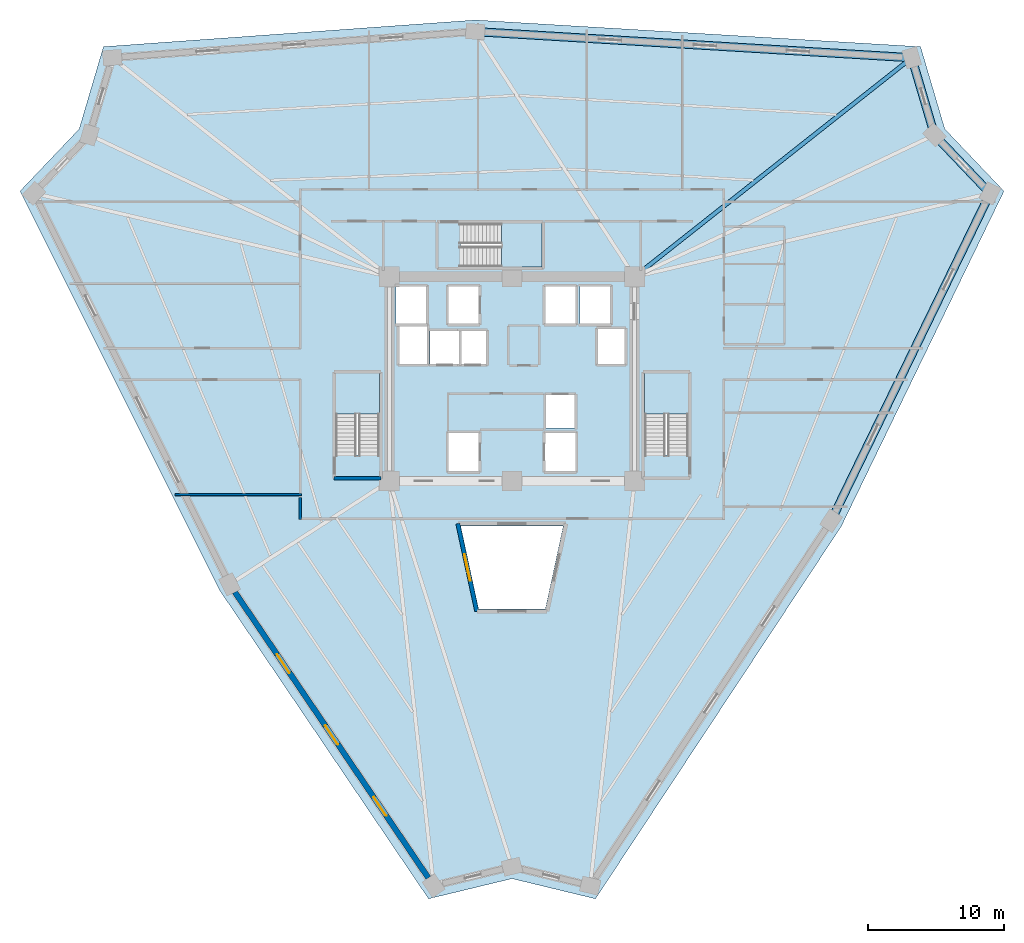
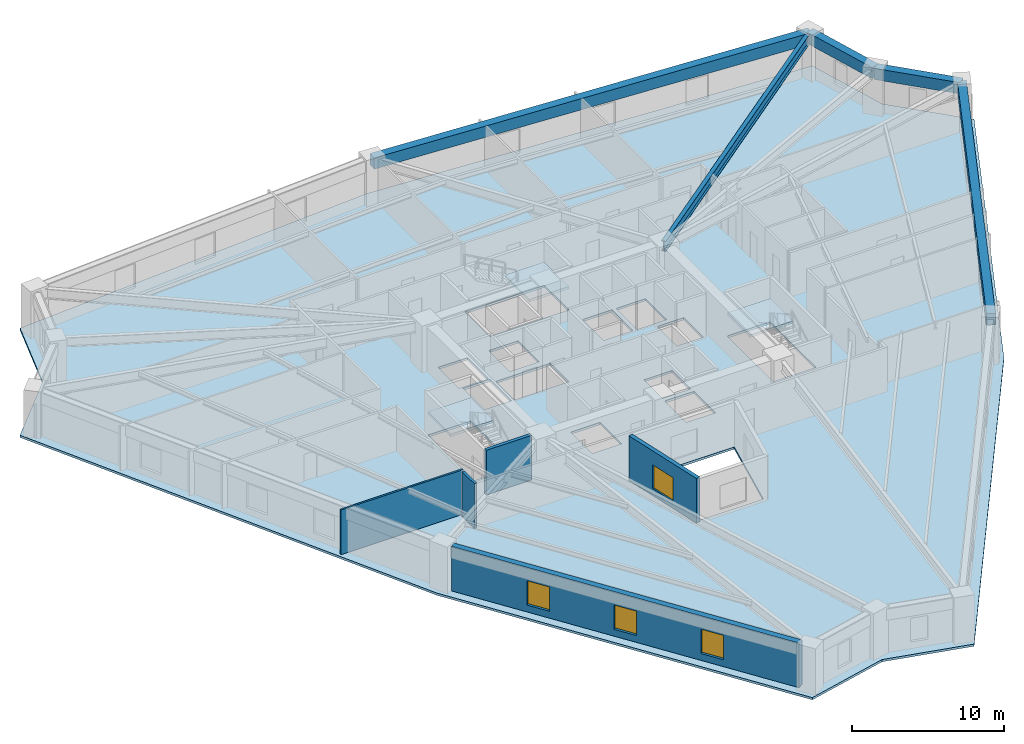
# One storey, part 2 of 8: 5 beams, 5 walls, 4 slabs, 4 windows, 4 openings, 3 elements without a shape of their own.
"""IFC4 building model written with IfcOpenShell, lengths in metres."""

from ifc_helpers import new_model, si_unit, direction, frame, frame_2d, origin, origin_2d, place, context, subcontext, project, spatial, polyline, rectangle, i_section, outline, extrude, source, transform, mapped, material, layer, layer_set, material_profile, profile_set, type_object, element, fill, aggregate, save


model = new_model("IFC4")

# Units and contexts
model_context = context("Model", 3, precision=1e-05, world=origin(), true_north=direction((0.0, 1.0)))
body_context = subcontext(model_context, "Body", "Model", "MODEL_VIEW")
ifc_project = project(units=[si_unit("LENGTHUNIT", "METRE"), si_unit("AREAUNIT", "SQUARE_METRE"), si_unit("VOLUMEUNIT", "CUBIC_METRE"), si_unit("PLANEANGLEUNIT", "RADIAN"), si_unit("MASSUNIT", "GRAM", prefix="KILO")], contexts=[model_context])

# Site, building, storey
site_placement = place(None, origin())
site = spatial("IfcSite", under=ifc_project, at=site_placement, CompositionType="ELEMENT")
building_placement = place(site_placement, origin())
building = spatial("IfcBuilding", under=site, at=building_placement, Name="Liaohun Quay Tower", CompositionType="ELEMENT")
storey_placement = place(building_placement, frame((0.0, 0.0, 159.0)))
storey = spatial("IfcBuildingStorey", under=building, at=storey_placement, Name="L41", CompositionType="ELEMENT", Elevation=159.0)

# Beams
ifc_material_1 = material(Name="Steel Q355D", Category="steel")
ifc_material_profile_1 = material_profile(ifc_material_1, i_section(OverallWidth=0.300048828125, OverallDepth=0.800048828125, WebThickness=0.013916015625, FlangeThickness=0.02587890625, at=origin_2d()), Name="HN800x300x14x26")
ifc_profile_set_1 = profile_set([ifc_material_profile_1], Name="Steel Q355D")
beam_type_1 = type_object("IfcBeamType", Name="BM-RAD-M1", PredefinedType="BEAM", material=ifc_profile_set_1)
shared_shape_1 = source(origin(), body_context, "Body", "SweptSolid", [
    extrude(i_section(OverallWidth=0.300048828125, OverallDepth=0.800048828125, WebThickness=0.013916015625, FlangeThickness=0.02587890625, at=origin_2d()), origin(), (0.0, 0.0, 1.0), 25.94482421875),
])
beam_1_placement = place(storey_placement, frame((69.0, 61.5, 3.169921875), z_axis=(0.784625929971, 0.619969475069, 0.0), x_axis=(-0.619969475069, 0.784625929971, 0.0)))
element("IfcBeam", 1, at=beam_1_placement, inside=storey, type_object=beam_type_1, Name="L41 Radial Primary Girder CC4-PC07", PredefinedType="BEAM", context=body_context, shape_type="MappedRepresentation", body=[
    mapped(shared_shape_1, transform((0.0, 0.0, 0.0), x_axis=(1.0, 0.0, 0.0), y_axis=(0.0, 1.0, 0.0), z_axis=(0.0, 0.0, 1.0), scale=1.0)),
])
ifc_material_2 = material(Name="Precast concrete C55", Category="concrete")
ifc_material_profile_2 = material_profile(ifc_material_2, rectangle(XDim=0.60009765625, YDim=0.89990234375, at=origin_2d()), Name="RC600x900")
ifc_profile_set_2 = profile_set([ifc_material_profile_2], Name="Precast concrete C55")
beam_type_2 = type_object("IfcBeamType", Name="BM-SPD-Z2", PredefinedType="SPANDREL", material=ifc_profile_set_2)
shared_shape_2 = source(origin(), body_context, "Body", "SweptSolid", [
    extrude(rectangle(XDim=0.60009765625, YDim=0.89990234375, at=origin_2d()), origin(), (0.0, 0.0, 1.0), 32.109375),
])
beam_2_placement = place(storey_placement, frame((57.304931640625, 79.5048828125, 3.1201171875), z_axis=(0.998210795358, -0.059793043338, 0.0), x_axis=(0.059793043338, 0.998210795358, 0.0)))
element("IfcBeam", 2, at=beam_2_placement, inside=storey, type_object=beam_type_2, Name="L41 Precast Spandrel Beam PC06-PC07", PredefinedType="SPANDREL", context=body_context, shape_type="MappedRepresentation", body=[
    mapped(shared_shape_2, transform((0.0, 0.0, 0.0), x_axis=(1.0, 0.0, 0.0), y_axis=(0.0, 1.0, 0.0), z_axis=(0.0, 0.0, 1.0), scale=1.0)),
])
shared_shape_3 = source(origin(), body_context, "Body", "SweptSolid", [
    extrude(rectangle(XDim=0.60009765625, YDim=0.89990234375, at=origin_2d()), origin(), (0.0, 0.0, 1.0), 5.911376953125),
])
beam_3_placement = place(storey_placement, frame((89.35693359375, 77.5849609375, 3.1201171875), z_axis=(0.282866118906, -0.959159402172, 0.0), x_axis=(0.959159402172, 0.282866118906, 0.0)))
element("IfcBeam", 3, at=beam_3_placement, inside=storey, type_object=beam_type_2, Name="L41 Precast Spandrel Beam PC07-PC08", PredefinedType="SPANDREL", context=body_context, shape_type="MappedRepresentation", body=[
    mapped(shared_shape_3, transform((0.0, 0.0, 0.0), x_axis=(1.0, 0.0, 0.0), y_axis=(0.0, 1.0, 0.0), z_axis=(0.0, 0.0, 1.0), scale=1.0)),
])
shared_shape_4 = source(origin(), body_context, "Body", "SweptSolid", [
    extrude(rectangle(XDim=0.60009765625, YDim=0.89990234375, at=origin_2d()), origin(), (0.0, 0.0, 1.0), 5.92041015625),
])
beam_4_placement = place(storey_placement, frame((91.029052734375, 71.9150390625, 3.1201171875), z_axis=(0.689321474859, -0.724455591668, 0.0), x_axis=(0.724455591668, 0.689321474859, 0.0)))
element("IfcBeam", 4, at=beam_4_placement, inside=storey, type_object=beam_type_2, Name="L41 Precast Spandrel Beam PC08-PC09", PredefinedType="SPANDREL", context=body_context, shape_type="MappedRepresentation", body=[
    mapped(shared_shape_4, transform((0.0, 0.0, 0.0), x_axis=(1.0, 0.0, 0.0), y_axis=(0.0, 1.0, 0.0), z_axis=(0.0, 0.0, 1.0), scale=1.0)),
])
shared_shape_5 = source(origin(), body_context, "Body", "SweptSolid", [
    extrude(rectangle(XDim=0.60009765625, YDim=0.89990234375, at=origin_2d()), origin(), (0.0, 0.0, 1.0), 26.728271484375),
])
beam_5_placement = place(storey_placement, frame((95.110107421875, 67.6259765625, 3.1201171875), z_axis=(-0.436770293238, -0.899573071487, 0.0), x_axis=(0.899573071487, -0.436770293238, 0.0)))
element("IfcBeam", 5, at=beam_5_placement, inside=storey, type_object=beam_type_2, Name="L41 Precast Spandrel Beam PC09-PC10", PredefinedType="SPANDREL", context=body_context, shape_type="MappedRepresentation", body=[
    mapped(shared_shape_5, transform((0.0, 0.0, 0.0), x_axis=(1.0, 0.0, 0.0), y_axis=(0.0, 1.0, 0.0), z_axis=(0.0, 0.0, 1.0), scale=1.0)),
])

# Stair, slab
ifc_material_3 = material(Name="Concrete C45", Category="concrete")
stair_type = type_object("IfcStairType", Name="STR-CORE-OFF", PredefinedType="HALF_TURN_STAIR", material=ifc_material_3)
stair_1_placement = place(storey_placement, origin())
stair_1 = element("IfcStair", 6, at=stair_1_placement, inside=storey, type_object=stair_type, Name="L41 Smokeproof Core Exit Stair ST-1", PredefinedType="HALF_TURN_STAIR")
ifc_layer_1 = layer(ifc_material_3, 0.199951171875, Name="Concrete C45", Category="concrete")
ifc_layer_set_1 = layer_set([ifc_layer_1], Name="Concrete C45")
slab_type_1 = type_object("IfcSlabType", Name="SLB-LND-200", PredefinedType="LANDING", material=ifc_layer_set_1)
slab_1_placement = place(storey_placement, frame((0.0, 0.0, 1.675048828125)))
slab_1 = element("IfcSlab", 7, at=slab_1_placement, type_object=slab_type_1, Name="ST-1 landing 1", PredefinedType="LANDING", context=body_context, shape_type="SweptSolid", body=[
    extrude(outline(polyline([(50.280029296875, 51.429931640625), (50.280029296875, 54.419921875), (47.0400390625, 54.419921875), (47.0400390625, 51.429931640625), (50.280029296875, 51.429931640625)])), origin(), (0.0, 0.0, 1.0), 0.199951171875),
])
aggregate(stair_1, [slab_1])

stair_2_placement = place(storey_placement, origin())
stair_2 = element("IfcStair", 8, at=stair_2_placement, inside=storey, type_object=stair_type, Name="L41 Smokeproof Core Exit Stair ST-2", PredefinedType="HALF_TURN_STAIR")
slab_2_placement = place(storey_placement, frame((0.0, 0.0, 1.675048828125)))
slab_2 = element("IfcSlab", 9, at=slab_2_placement, type_object=slab_type_1, Name="ST-2 landing 1", PredefinedType="LANDING", context=body_context, shape_type="SweptSolid", body=[
    extrude(outline(polyline([(72.9599609375, 51.429931640625), (72.9599609375, 54.419921875), (69.719970703125, 54.419921875), (69.719970703125, 51.429931640625), (72.9599609375, 51.429931640625)])), origin(), (0.0, 0.0, 1.0), 0.199951171875),
])
aggregate(stair_2, [slab_2])

stair_3_placement = place(storey_placement, origin())
stair_3 = element("IfcStair", 10, at=stair_3_placement, inside=storey, type_object=stair_type, Name="L41 Smokeproof Core Exit Stair ST-3", PredefinedType="HALF_TURN_STAIR")
slab_3_placement = place(storey_placement, frame((0.0, 0.0, 1.675048828125)))
slab_3 = element("IfcSlab", 11, at=slab_3_placement, type_object=slab_type_1, Name="ST-3 landing 1", PredefinedType="LANDING", context=body_context, shape_type="SweptSolid", body=[
    extrude(outline(polyline([(59.22998046875, 62.199951171875), (62.219970703125, 62.199951171875), (62.219970703125, 65.43994140625), (59.22998046875, 65.43994140625), (59.22998046875, 62.199951171875)])), origin(), (0.0, 0.0, 1.0), 0.199951171875),
])
aggregate(stair_3, [slab_3])

# Slab
ifc_layer_2 = layer(ifc_material_3, 0.179931640625, Name="Concrete C45", Category="concrete")
ifc_layer_set_2 = layer_set([ifc_layer_2], Name="Concrete C45")
slab_type_2 = type_object("IfcSlabType", Name="SLB-OFF-180", PredefinedType="FLOOR", material=ifc_layer_set_2)
slab_4_placement = place(storey_placement, frame((0.0, 0.0, -0.179931640625)))
element("IfcSlab", 12, at=slab_4_placement, inside=storey, type_object=slab_type_2, Name="L41 Structural Floor Slab", PredefinedType="FLOOR", context=body_context, shape_type="SweptSolid", body=[
    extrude(outline(polyline([(53.8720703125, 15.81689453125), (60.0, 17.297119140625), (66.1279296875, 15.81689453125), (84.176025390625, 43.159912109375), (96.132080078125, 67.784912109375), (91.785888671875, 72.35205078125), (90.00390625, 78.39794921875), (57.300048828125, 80.35693359375), (29.99609375, 78.39794921875), (28.214111328125, 72.35205078125), (23.867919921875, 67.784912109375), (38.52490234375, 38.48291015625), (53.8720703125, 15.81689453125)]), holes=[polyline([(57.56005859375, 50.030029296875), (55.340087890625, 50.030029296875), (55.340087890625, 47.2099609375), (57.56005859375, 47.2099609375), (57.56005859375, 50.030029296875)]), polyline([(50.280029296875, 54.419921875), (47.0400390625, 54.419921875), (47.0400390625, 48.409912109375), (50.280029296875, 48.409912109375), (50.280029296875, 54.419921875)]), polyline([(53.989990234375, 55.090087890625), (58.110107421875, 55.090087890625), (58.110107421875, 57.510009765625), (53.989990234375, 57.510009765625), (53.989990234375, 55.090087890625)]), polyline([(53.760009765625, 55.090087890625), (53.760009765625, 57.909912109375), (51.7099609375, 57.909912109375), (51.7099609375, 55.090087890625), (53.760009765625, 55.090087890625)]), polyline([(53.7099609375, 58.0400390625), (53.7099609375, 60.7900390625), (51.489990234375, 60.7900390625), (51.489990234375, 58.0400390625), (53.7099609375, 58.0400390625)]), polyline([(57.56005859375, 58.0400390625), (57.56005859375, 60.7900390625), (55.340087890625, 60.7900390625), (55.340087890625, 58.0400390625), (57.56005859375, 58.0400390625)]), polyline([(62.219970703125, 62.199951171875), (62.219970703125, 65.43994140625), (56.2099609375, 65.43994140625), (56.2099609375, 62.199951171875), (62.219970703125, 62.199951171875)]), polyline([(62.448974609375, 37.10009765625), (63.76708984375, 43.199951171875), (56.23291015625, 43.199951171875), (57.551025390625, 37.10009765625), (62.448974609375, 37.10009765625)]), polyline([(64.659912109375, 47.2099609375), (64.659912109375, 50.030029296875), (62.43994140625, 50.030029296875), (62.43994140625, 47.2099609375), (64.659912109375, 47.2099609375)]), polyline([(72.9599609375, 54.419921875), (69.719970703125, 54.419921875), (69.719970703125, 48.409912109375), (72.9599609375, 48.409912109375), (72.9599609375, 54.419921875)]), polyline([(64.610107421875, 50.389892578125), (64.610107421875, 52.81005859375), (62.489990234375, 52.81005859375), (62.489990234375, 50.389892578125), (64.610107421875, 50.389892578125)]), polyline([(68.2900390625, 55.090087890625), (68.2900390625, 57.659912109375), (66.2900390625, 57.659912109375), (66.2900390625, 55.090087890625), (68.2900390625, 55.090087890625)]), polyline([(64.659912109375, 58.0400390625), (64.659912109375, 60.7900390625), (62.43994140625, 60.7900390625), (62.43994140625, 58.0400390625), (64.659912109375, 58.0400390625)]), polyline([(67.2099609375, 58.0400390625), (67.2099609375, 60.7900390625), (64.989990234375, 60.7900390625), (64.989990234375, 58.0400390625), (67.2099609375, 58.0400390625)])]), origin(), (0.0, 0.0, 1.0), 0.179931640625),
])

# Wall, opening, window
ifc_material_4 = material(Name="Concrete C50", Category="concrete")
ifc_layer_3 = layer(ifc_material_4, 0.300048828125, Name="Concrete C50", Category="concrete")
ifc_layer_set_3 = layer_set([ifc_layer_3], Name="Concrete C50")
wall_type_1 = type_object("IfcWallType", Name="WAL-ATR-300", PredefinedType="SOLIDWALL", material=ifc_layer_set_3)
wall_1_placement = place(storey_placement, frame((57.4140625, 36.929931640625, 0.0), z_axis=(0.0, 0.0, 1.0), x_axis=(-0.211277302898, 0.977426161549, 0.0)))
wall_1 = element("IfcWall", 13, at=wall_1_placement, inside=storey, type_object=wall_type_1, Name="L41 Atrium Fire Compartment Wall 1", PredefinedType="SOLIDWALL", context=body_context, shape_type="SweptSolid", body=[
    extrude(rectangle(XDim=6.5888671875, YDim=0.300048828125, at=frame_2d((3.29443359375, 0.0))), origin(), (0.0, 0.0, 1.0), 3.570068359375),
])
shared_shape_6 = source(origin(), body_context, "Body", "SweptSolid", [
    extrude(rectangle(XDim=2.0, YDim=1.89990234375, at=frame_2d((1.0, 0.949951171875))), frame((0.0, 0.159912109375, 0.0), z_axis=(0.0, -1.0, 0.0), x_axis=(1.0, 0.0, 0.0)), (0.0, 0.0, 1.0), 0.320068359375),
])
opening_1_placement = place(wall_1_placement, frame((2.2939453125, 0.0, 0.550048828125)))
opening_1 = element("IfcOpeningElement", 14, at=opening_1_placement, cuts=wall_1, Name="Opening W07", PredefinedType="OPENING", context=body_context, shape_type="MappedRepresentation", body=[
    mapped(shared_shape_6, transform((0.0, 0.0, 0.0), x_axis=(1.0, 0.0, 0.0), y_axis=(0.0, 1.0, 0.0), z_axis=(0.0, 0.0, 1.0), scale=1.0)),
])
ifc_material_5 = material(Name="Class A 180-min fire-resistant insulated glazing", Category="glass")
window_type_1 = type_object("IfcWindowType", Name="WIN-ATR-FIR", PartitioningType="DOUBLE_PANEL_VERTICAL", PredefinedType="WINDOW", material=ifc_material_5)
shared_shape_7 = source(origin(), body_context, "Body", "SweptSolid", [
    extrude(rectangle(XDim=2.0, YDim=1.89990234375, at=frame_2d((1.0, 0.949951171875))), frame((0.0, 0.030029296875, 0.0), z_axis=(0.0, -1.0, 0.0), x_axis=(1.0, 0.0, 0.0)), (0.0, 0.0, 1.0), 0.06005859375),
])
window_1_placement = place(opening_1_placement, origin())
window_1 = element("IfcWindow", 15, at=window_1_placement, inside=storey, type_object=window_type_1, Name="L41 Atrium Fire-Resistant Glazing W07-1", OverallHeight=1.89990234375, OverallWidth=2.0, PartitioningType="DOUBLE_PANEL_VERTICAL", PredefinedType="WINDOW", context=body_context, shape_type="MappedRepresentation", body=[
    mapped(shared_shape_7, transform((0.0, 0.0, 0.0), x_axis=(1.0, 0.0, 0.0), y_axis=(0.0, 1.0, 0.0), z_axis=(0.0, 0.0, 1.0), scale=1.0)),
])
fill(opening_1, window_1)

# Wall, openings, windows
ifc_material_6 = material(Name="Precast concrete C50 insulated sandwich", Category="concrete")
ifc_layer_4 = layer(ifc_material_6, 0.419921875, Name="Precast concrete C50 insulated sandwich", Category="concrete")
ifc_layer_set_4 = layer_set([ifc_layer_4], Name="Precast concrete C50 insulated sandwich")
wall_type_2 = type_object("IfcWallType", Name="WAL-EXT-Z12", PredefinedType="SOLIDWALL", material=ifc_layer_set_4)
wall_2_placement = place(storey_placement, frame((39.64697265625, 38.342041015625, 0.0), z_axis=(0.0, 0.0, 1.0), x_axis=(0.560647296893, -0.828054713462, 0.0)))
wall_2 = element("IfcWall", 16, at=wall_2_placement, inside=storey, type_object=wall_type_2, Name="L41 Brutalist Precast Pier Wall 11", PredefinedType="SOLIDWALL", context=body_context, shape_type="SweptSolid", body=[
    extrude(rectangle(XDim=25.347412109375, YDim=0.419921875, at=frame_2d((12.673828125, 0.0))), origin(), (0.0, 0.0, 1.0), 3.570068359375),
])
shared_shape_8 = source(origin(), body_context, "Body", "SweptSolid", [
    extrude(rectangle(XDim=1.64990234375, YDim=1.949951171875, at=frame_2d((0.824951171875, 0.97509765625))), frame((0.0, 0.219970703125, 0.0), z_axis=(0.0, -1.0, 0.0), x_axis=(1.0, 0.0, 0.0)), (0.0, 0.0, 1.0), 0.43994140625),
])
opening_2_placement = place(wall_2_placement, frame((5.511962890625, 0.0, 0.550048828125)))
opening_2 = element("IfcOpeningElement", 17, at=opening_2_placement, cuts=wall_2, Name="Opening W02", PredefinedType="OPENING", context=body_context, shape_type="MappedRepresentation", body=[
    mapped(shared_shape_8, transform((0.0, 0.0, 0.0), x_axis=(1.0, 0.0, 0.0), y_axis=(0.0, 1.0, 0.0), z_axis=(0.0, 0.0, 1.0), scale=1.0)),
])
opening_3_placement = place(wall_2_placement, frame((11.84912109375, 0.0, 0.550048828125)))
opening_3 = element("IfcOpeningElement", 18, at=opening_3_placement, cuts=wall_2, Name="Opening W02", PredefinedType="OPENING", context=body_context, shape_type="MappedRepresentation", body=[
    mapped(shared_shape_8, transform((0.0, 0.0, 0.0), x_axis=(1.0, 0.0, 0.0), y_axis=(0.0, 1.0, 0.0), z_axis=(0.0, 0.0, 1.0), scale=1.0)),
])
opening_4_placement = place(wall_2_placement, frame((18.18603515625, 0.0, 0.550048828125)))
opening_4 = element("IfcOpeningElement", 19, at=opening_4_placement, cuts=wall_2, Name="Opening W02", PredefinedType="OPENING", context=body_context, shape_type="MappedRepresentation", body=[
    mapped(shared_shape_8, transform((0.0, 0.0, 0.0), x_axis=(1.0, 0.0, 0.0), y_axis=(0.0, 1.0, 0.0), z_axis=(0.0, 0.0, 1.0), scale=1.0)),
])
ifc_material_7 = material(Name="Triple Low-E argon glazing in thermally broken aluminium", Category="aluminium")
window_type_2 = type_object("IfcWindowType", Name="WIN-PUN-Z2", PartitioningType="DOUBLE_PANEL_VERTICAL", PredefinedType="WINDOW", material=ifc_material_7)
shared_shape_9 = source(origin(), body_context, "Body", "SweptSolid", [
    extrude(rectangle(XDim=1.64990234375, YDim=1.949951171875, at=frame_2d((0.824951171875, 0.97509765625))), frame((0.0, 0.030029296875, 0.0), z_axis=(0.0, -1.0, 0.0), x_axis=(1.0, 0.0, 0.0)), (0.0, 0.0, 1.0), 0.06005859375),
])
window_2_placement = place(opening_2_placement, origin())
window_2 = element("IfcWindow", 20, at=window_2_placement, inside=storey, type_object=window_type_2, Name="L41 Recessed Cold-Climate Punched Window 11-1", OverallHeight=1.949951171875, OverallWidth=1.64990234375, PartitioningType="DOUBLE_PANEL_VERTICAL", PredefinedType="WINDOW", context=body_context, shape_type="MappedRepresentation", body=[
    mapped(shared_shape_9, transform((0.0, 0.0, 0.0), x_axis=(1.0, 0.0, 0.0), y_axis=(0.0, 1.0, 0.0), z_axis=(0.0, 0.0, 1.0), scale=1.0)),
])
fill(opening_2, window_2)
window_3_placement = place(opening_3_placement, origin())
window_3 = element("IfcWindow", 21, at=window_3_placement, inside=storey, type_object=window_type_2, Name="L41 Recessed Cold-Climate Punched Window 11-2", OverallHeight=1.949951171875, OverallWidth=1.64990234375, PartitioningType="DOUBLE_PANEL_VERTICAL", PredefinedType="WINDOW", context=body_context, shape_type="MappedRepresentation", body=[
    mapped(shared_shape_9, transform((0.0, 0.0, 0.0), x_axis=(1.0, 0.0, 0.0), y_axis=(0.0, 1.0, 0.0), z_axis=(0.0, 0.0, 1.0), scale=1.0)),
])
fill(opening_3, window_3)
window_4_placement = place(opening_4_placement, origin())
window_4 = element("IfcWindow", 22, at=window_4_placement, inside=storey, type_object=window_type_2, Name="L41 Recessed Cold-Climate Punched Window 11-3", OverallHeight=1.949951171875, OverallWidth=1.64990234375, PartitioningType="DOUBLE_PANEL_VERTICAL", PredefinedType="WINDOW", context=body_context, shape_type="MappedRepresentation", body=[
    mapped(shared_shape_9, transform((0.0, 0.0, 0.0), x_axis=(1.0, 0.0, 0.0), y_axis=(0.0, 1.0, 0.0), z_axis=(0.0, 0.0, 1.0), scale=1.0)),
])
fill(opening_4, window_4)

# Walls
ifc_material_8 = material(Name="Autoclaved aerated concrete blockwork", Category="masonry")
ifc_layer_5 = layer(ifc_material_8, 0.179931640625, Name="Autoclaved aerated concrete blockwork", Category="masonry")
ifc_layer_set_5 = layer_set([ifc_layer_5], Name="Autoclaved aerated concrete blockwork")
wall_type_3 = type_object("IfcWallType", Name="WAL-PRT-COR", PredefinedType="PARTITIONING", material=ifc_layer_set_5)
wall_3_placement = place(storey_placement, frame((44.43994140625, 43.669921875, 0.0), z_axis=(0.0, 0.0, 1.0), x_axis=(0.0, 1.0, 0.0)))
element("IfcWall", 23, at=wall_3_placement, inside=storey, type_object=wall_type_3, Name="L41 Interior Partition Wall 037", PredefinedType="PARTITIONING", context=body_context, shape_type="SweptSolid", body=[
    extrude(rectangle(XDim=1.614990234375, YDim=0.179931640625, at=frame_2d((0.8076171875, 0.0))), origin(), (0.0, 0.0, 1.0), 3.570068359375),
])
ifc_material_9 = material(Name="Gypsum board on twin steel studs", Category="steel")
ifc_layer_6 = layer(ifc_material_9, 0.139892578125, Name="Gypsum board on twin steel studs", Category="steel")
ifc_layer_set_6 = layer_set([ifc_layer_6], Name="Gypsum board on twin steel studs")
wall_type_4 = type_object("IfcWallType", Name="WAL-PRT-OFF", PredefinedType="PARTITIONING", material=ifc_layer_set_6)
wall_4_placement = place(storey_placement, frame((44.5400390625, 45.5, 0.0), z_axis=(0.0, 0.0, 1.0), x_axis=(-1.0, 0.0, 0.0)))
element("IfcWall", 24, at=wall_4_placement, inside=storey, type_object=wall_type_4, Name="L41 Interior Partition Wall 040", PredefinedType="PARTITIONING", context=body_context, shape_type="SweptSolid", body=[
    extrude(rectangle(XDim=9.279052734375, YDim=0.139892578125, at=frame_2d((4.6396484375, 0.0))), origin(), (0.0, 0.0, 1.0), 3.570068359375),
])
ifc_layer_7 = layer(ifc_material_4, 0.239990234375, Name="Concrete C50", Category="concrete")
ifc_layer_set_7 = layer_set([ifc_layer_7], Name="Concrete C50")
wall_type_5 = type_object("IfcWallType", Name="WAL-SHF-200", PredefinedType="SOLIDWALL", material=ifc_layer_set_7)
wall_5_placement = place(storey_placement, frame((46.93994140625, 46.699951171875, 0.0), z_axis=(0.0, 0.0, 1.0), x_axis=(1.0, 0.0, 0.0)))
element("IfcWall", 25, at=wall_5_placement, inside=storey, type_object=wall_type_5, Name="L41 Stairwell ST-1 Structural Core Wall S", PredefinedType="SOLIDWALL", context=body_context, shape_type="SweptSolid", body=[
    extrude(rectangle(XDim=3.43994140625, YDim=0.239990234375, at=frame_2d((1.719970703125, 0.0))), origin(), (0.0, 0.0, 1.0), 3.570068359375),
])

save(model, "model.ifc")
